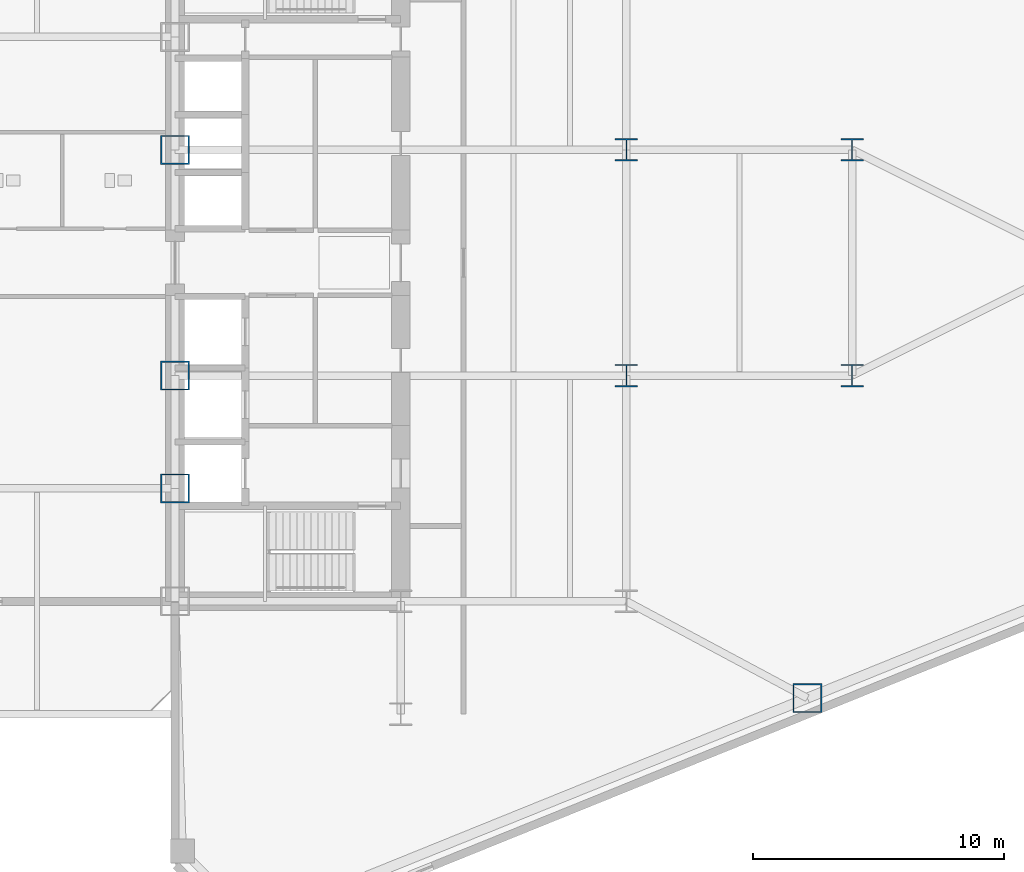
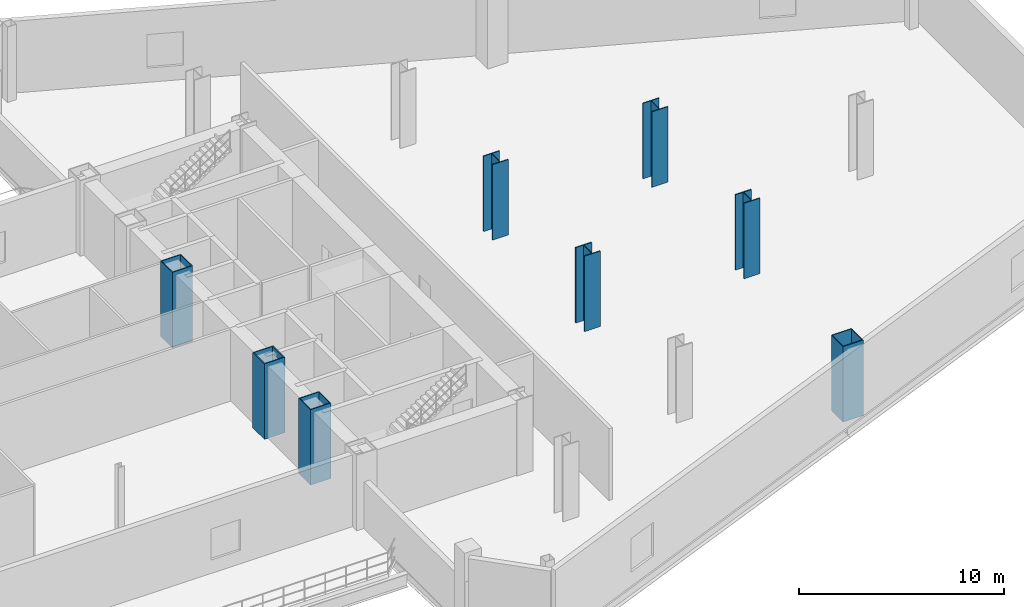
# One storey, part 6 of 23: 8 columns.
"""IFC4 building model written with IfcOpenShell, lengths in metres."""

from ifc_helpers import new_model, si_unit, direction, frame, origin, origin_2d, place, context, subcontext, project, spatial, hollow_rectangle, i_section, extrude, source, transform, mapped, material, material_profile, profile_set, type_object, type_shapes, element, save


model = new_model("IFC4")

# Units and contexts
model_context = context("Model", 3, precision=1e-05, world=origin(), true_north=direction((0.0, 1.0)))
body_context = subcontext(model_context, "Body", "Model", "MODEL_VIEW")
ifc_project = project(units=[si_unit("LENGTHUNIT", "METRE"), si_unit("AREAUNIT", "SQUARE_METRE"), si_unit("VOLUMEUNIT", "CUBIC_METRE"), si_unit("PLANEANGLEUNIT", "RADIAN"), si_unit("MASSUNIT", "GRAM", prefix="KILO")], contexts=[model_context])

# Site, building, storey
site_placement = place(None, origin())
site = spatial("IfcSite", under=ifc_project, at=site_placement, CompositionType="ELEMENT")
building_placement = place(site_placement, origin())
building = spatial("IfcBuilding", under=site, at=building_placement, Name="Seokmaru Belvedere", CompositionType="ELEMENT")
storey_placement = place(building_placement, frame((0.0, 0.0, 14.39990234375)))
storey = spatial("IfcBuildingStorey", under=building, at=storey_placement, Name="L03", CompositionType="ELEMENT", Elevation=14.39990234375)

# Columns
ifc_material = material(Name="Steel HSA650 (650 MPa)", Category="steel")
ifc_material_profile_1 = material_profile(ifc_material, hollow_rectangle(XDim=1.14990234375, YDim=1.14990234375, WallThickness=0.048095703125, at=origin_2d()), Name="BOX-1150x1150x48")
ifc_profile_set_1 = profile_set([ifc_material_profile_1], Name="Steel HSA650 (650 MPa)")
column_type_1 = type_object("IfcColumnType", Name="Portal Spine Column BOX-1150", PredefinedType="COLUMN", material=ifc_profile_set_1)
shared_shape_1 = source(origin(), body_context, "Body", "SweptSolid", [
    extrude(hollow_rectangle(XDim=1.14990234375, YDim=1.14990234375, WallThickness=0.048095703125, at=origin_2d()), origin(), (0.0, 0.0, 1.0), 4.5),
])
type_shapes(column_type_1, [shared_shape_1])
for number, where, z_axis, x_axis, name in (
    (1, (27.5, -9.0, 0.0), (0.0, 0.0, 1.0), (1.0, 0.0, 0.0), "L03 Column ES2"),
    (2, (27.5, -4.5, 0.0), (0.0, 0.0, 1.0), (1.0, 0.0, 0.0), "L03 Column ES3"),
    (3, (27.5, 4.5, 0.0), (0.0, 0.0, 1.0), (1.0, 0.0, 0.0), "L03 Column ES4"),
    (4, (52.715576171875, -17.360595703125, 0.0), (0.0, 0.0, 1.0), (1.0, 0.0, 0.0), "L03 Column EFLK_S2"),
):
    element("IfcColumn", number, at=place(storey_placement, frame(where, z_axis=z_axis, x_axis=x_axis)), inside=storey, type_object=column_type_1, Name=name, PredefinedType="COLUMN", context=body_context, shape_type="MappedRepresentation", body=[
        mapped(shared_shape_1, transform((0.0, 0.0, 0.0), scale=1.0)),
    ])
ifc_material_profile_2 = material_profile(ifc_material, i_section(OverallWidth=0.89990234375, OverallDepth=0.89990234375, WebThickness=0.035888671875, FlangeThickness=0.054931640625, at=origin_2d()), Name="H-900x900x36x55")
ifc_profile_set_2 = profile_set([ifc_material_profile_2], Name="Steel HSA650 (650 MPa)")
column_type_2 = type_object("IfcColumnType", Name="Lower Interior Column H-900", PredefinedType="COLUMN", material=ifc_profile_set_2)
shared_shape_2 = source(origin(), body_context, "Body", "SweptSolid", [
    extrude(i_section(OverallWidth=0.89990234375, OverallDepth=0.89990234375, WebThickness=0.035888671875, FlangeThickness=0.054931640625, at=origin_2d()), origin(), (0.0, 0.0, 1.0), 4.5),
])
type_shapes(column_type_2, [shared_shape_2])
for number, where, z_axis, x_axis, name in (
    (5, (45.5, -4.5, 0.0), (0.0, 0.0, 1.0), (1.0, 0.0, 0.0), "L03 Column EG5_2"),
    (6, (45.5, 4.5, 0.0), (0.0, 0.0, 1.0), (1.0, 0.0, 0.0), "L03 Column EG5_3"),
    (7, (54.5, -4.5, 0.0), (0.0, 0.0, 1.0), (1.0, 0.0, 0.0), "L03 Column EG4P_1"),
    (8, (54.5, 4.5, 0.0), (0.0, 0.0, 1.0), (1.0, 0.0, 0.0), "L03 Column EG4P_2"),
):
    element("IfcColumn", number, at=place(storey_placement, frame(where, z_axis=z_axis, x_axis=x_axis)), inside=storey, type_object=column_type_2, Name=name, PredefinedType="COLUMN", context=body_context, shape_type="MappedRepresentation", body=[
        mapped(shared_shape_2, transform((0.0, 0.0, 0.0), scale=1.0)),
    ])

save(model, "model.ifc")
